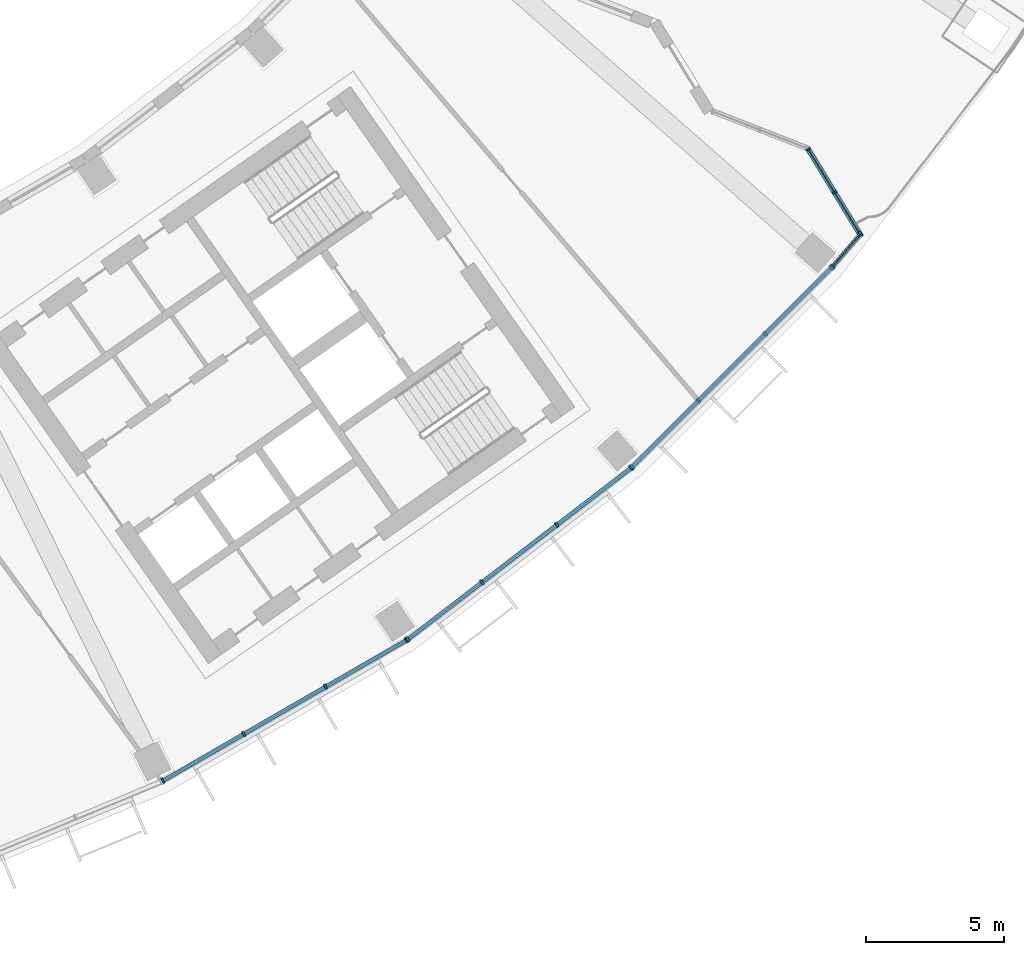
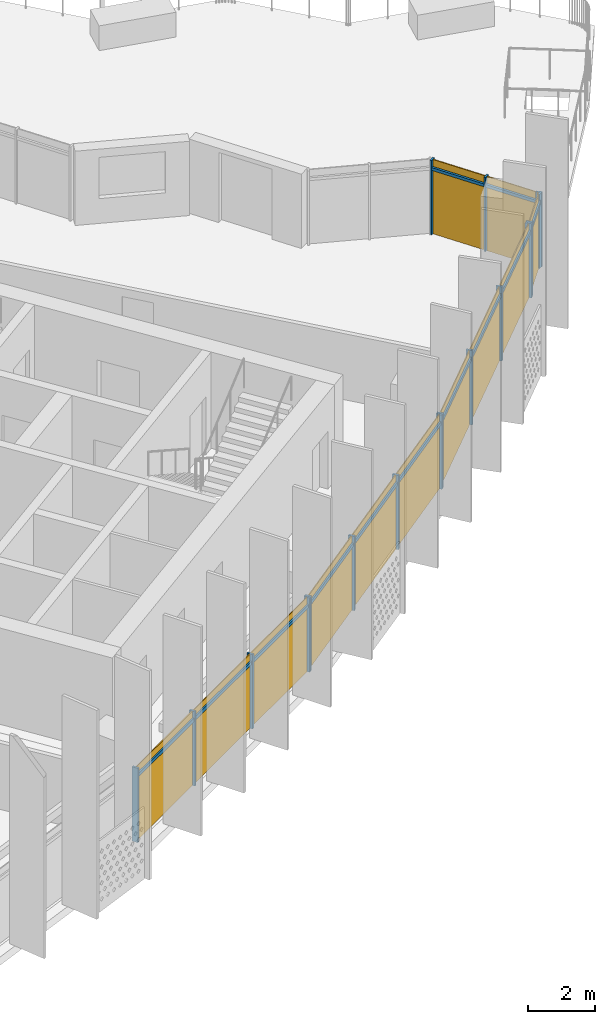
# One storey, part 20 of 30: 29 members, 5 curtain walls.
"""IFC4 building model written with IfcOpenShell, lengths in metres."""

from ifc_helpers import new_model, si_unit, direction, frame, origin, origin_2d, place, context, subcontext, project, spatial, rectangle, extrude, material, material_profile, profile_set, type_object, element, aggregate, save


model = new_model("IFC4")

# Units and contexts
model_context = context("Model", 3, precision=1e-05, world=origin(), true_north=direction((0.0, 1.0)))
body_context = subcontext(model_context, "Body", "Model", "MODEL_VIEW")
ifc_project = project(units=[si_unit("LENGTHUNIT", "METRE"), si_unit("AREAUNIT", "SQUARE_METRE"), si_unit("VOLUMEUNIT", "CUBIC_METRE"), si_unit("PLANEANGLEUNIT", "RADIAN"), si_unit("MASSUNIT", "GRAM", prefix="KILO")], contexts=[model_context])

# Member
ifc_material = material(Name="Aluminium 6063-T6 anodised", Category="aluminium")
ifc_material_profile_1 = material_profile(ifc_material, rectangle(XDim=0.179931640625, YDim=0.06005859375, at=origin_2d()))
ifc_profile_set_1 = profile_set([ifc_material_profile_1], Name="Aluminium 6063-T6 anodised")
member_type_1 = type_object("IfcMemberType", Name="Mullion 60 x 180 aluminium, garden", PredefinedType="MULLION", material=ifc_profile_set_1)
site_placement = place(None, origin())
building_placement = place(site_placement, origin())
storey_placement = place(building_placement, frame((0.0, 0.0, 203.699951171875)))
member_1_placement = place(storey_placement, frame((60.104248046875, -50.63427734375, 0.0), z_axis=(0.0, 0.0, 1.0), x_axis=(-0.854269604019, -0.519830206557, 0.0)))
member_1 = element("IfcMember", 1, at=member_1_placement, type_object=member_type_1, Name="e-cw4-L48-capE0/M00", PredefinedType="MULLION", context=body_context, shape_type="SweptSolid", body=[
    extrude(rectangle(XDim=0.179931640625, YDim=0.06005859375, at=origin_2d()), origin(), (0.0, 0.0, 1.0), 2.699951171875),
])

member_2_placement = place(storey_placement, frame((59.15234375, -49.06982421875, 0.0), z_axis=(0.0, 0.0, 1.0), x_axis=(-0.854269604019, -0.519830206557, 0.0)))
member_2 = element("IfcMember", 2, at=member_2_placement, type_object=member_type_1, Name="e-cw4-L48-capE0/M01", PredefinedType="MULLION", context=body_context, shape_type="SweptSolid", body=[
    extrude(rectangle(XDim=0.179931640625, YDim=0.06005859375, at=origin_2d()), origin(), (0.0, 0.0, 1.0), 2.699951171875),
])

member_3_placement = place(storey_placement, frame((58.2001953125, -47.50537109375, 0.0), z_axis=(0.0, 0.0, 1.0), x_axis=(-0.854269604019, -0.519830206557, 0.0)))
member_3 = element("IfcMember", 3, at=member_3_placement, type_object=member_type_1, Name="e-cw4-L48-capE0/M02", PredefinedType="MULLION", context=body_context, shape_type="SweptSolid", body=[
    extrude(rectangle(XDim=0.179931640625, YDim=0.06005859375, at=origin_2d()), origin(), (0.0, 0.0, 1.0), 2.699951171875),
])

ifc_material_profile_2 = material_profile(ifc_material, rectangle(XDim=0.199951171875, YDim=0.070068359375, at=origin_2d()))
ifc_profile_set_2 = profile_set([ifc_material_profile_2], Name="Aluminium 6063-T6 anodised")
member_type_2 = type_object("IfcMemberType", Name="Mullion 70 x 200 aluminium", PredefinedType="MULLION", material=ifc_profile_set_2)
member_4_placement = place(storey_placement, frame((34.766357421875, -70.43505859375, 0.0), z_axis=(0.0, 0.0, 1.0), x_axis=(-0.5, 0.866025403784, 0.0)))
member_4 = element("IfcMember", 4, at=member_4_placement, type_object=member_type_2, Name="e-cw1-L48-out12/M00", PredefinedType="MULLION", context=body_context, shape_type="SweptSolid", body=[
    extrude(rectangle(XDim=0.199951171875, YDim=0.070068359375, at=origin_2d()), origin(), (0.0, 0.0, 1.0), 2.699951171875),
])

member_5_placement = place(storey_placement, frame((37.705810546875, -68.73779296875, 0.0), z_axis=(0.0, 0.0, 1.0), x_axis=(-0.5, 0.866025403784, 0.0)))
member_5 = element("IfcMember", 5, at=member_5_placement, type_object=member_type_2, Name="e-cw1-L48-out12/M01", PredefinedType="MULLION", context=body_context, shape_type="SweptSolid", body=[
    extrude(rectangle(XDim=0.199951171875, YDim=0.070068359375, at=origin_2d()), origin(), (0.0, 0.0, 1.0), 2.699951171875),
])

member_6_placement = place(storey_placement, frame((40.67578125, -67.023193359375, 0.0), z_axis=(0.0, 0.0, 1.0), x_axis=(-0.5, 0.866025403784, 0.0)))
member_6 = element("IfcMember", 6, at=member_6_placement, type_object=member_type_2, Name="e-cw1-L48-out12/M02", PredefinedType="MULLION", context=body_context, shape_type="SweptSolid", body=[
    extrude(rectangle(XDim=0.199951171875, YDim=0.070068359375, at=origin_2d()), origin(), (0.0, 0.0, 1.0), 2.699951171875),
])

member_7_placement = place(storey_placement, frame((43.615234375, -65.325927734375, 0.0), z_axis=(0.0, 0.0, 1.0), x_axis=(-0.5, 0.866025403784, 0.0)))
member_7 = element("IfcMember", 7, at=member_7_placement, type_object=member_type_2, Name="e-cw1-L48-out12/M03", PredefinedType="MULLION", context=body_context, shape_type="SweptSolid", body=[
    extrude(rectangle(XDim=0.199951171875, YDim=0.070068359375, at=origin_2d()), origin(), (0.0, 0.0, 1.0), 2.699951171875),
])

member_8_placement = place(storey_placement, frame((43.66259765625, -65.29443359375, 0.0), z_axis=(0.0, 0.0, 1.0), x_axis=(-0.608761429009, 0.793353340291, 0.0)))
member_8 = element("IfcMember", 8, at=member_8_placement, type_object=member_type_2, Name="e-cw1-L48-out13/M00", PredefinedType="MULLION", context=body_context, shape_type="SweptSolid", body=[
    extrude(rectangle(XDim=0.199951171875, YDim=0.070068359375, at=origin_2d()), origin(), (0.0, 0.0, 1.0), 2.699951171875),
])

member_9_placement = place(storey_placement, frame((46.35546875, -63.22802734375, 0.0), z_axis=(0.0, 0.0, 1.0), x_axis=(-0.608761429009, 0.793353340291, 0.0)))
member_9 = element("IfcMember", 9, at=member_9_placement, type_object=member_type_2, Name="e-cw1-L48-out13/M01", PredefinedType="MULLION", context=body_context, shape_type="SweptSolid", body=[
    extrude(rectangle(XDim=0.199951171875, YDim=0.070068359375, at=origin_2d()), origin(), (0.0, 0.0, 1.0), 2.699951171875),
])

member_10_placement = place(storey_placement, frame((49.075927734375, -61.140380859375, 0.0), z_axis=(0.0, 0.0, 1.0), x_axis=(-0.608761429009, 0.793353340291, 0.0)))
member_10 = element("IfcMember", 10, at=member_10_placement, type_object=member_type_2, Name="e-cw1-L48-out13/M02", PredefinedType="MULLION", context=body_context, shape_type="SweptSolid", body=[
    extrude(rectangle(XDim=0.199951171875, YDim=0.070068359375, at=origin_2d()), origin(), (0.0, 0.0, 1.0), 2.699951171875),
])

member_11_placement = place(storey_placement, frame((51.768798828125, -59.07421875, 0.0), z_axis=(0.0, 0.0, 1.0), x_axis=(-0.608761429009, 0.793353340291, 0.0)))
member_11 = element("IfcMember", 11, at=member_11_placement, type_object=member_type_2, Name="e-cw1-L48-out13/M03", PredefinedType="MULLION", context=body_context, shape_type="SweptSolid", body=[
    extrude(rectangle(XDim=0.199951171875, YDim=0.070068359375, at=origin_2d()), origin(), (0.0, 0.0, 1.0), 2.699951171875),
])

member_12_placement = place(storey_placement, frame((51.8115234375, -59.03662109375, 0.0), z_axis=(0.0, 0.0, 1.0), x_axis=(-0.707106781187, 0.707106781187, 0.0)))
member_12 = element("IfcMember", 12, at=member_12_placement, type_object=member_type_2, Name="e-cw1-L48-out14/M00", PredefinedType="MULLION", context=body_context, shape_type="SweptSolid", body=[
    extrude(rectangle(XDim=0.199951171875, YDim=0.070068359375, at=origin_2d()), origin(), (0.0, 0.0, 1.0), 2.699951171875),
])

member_13_placement = place(storey_placement, frame((54.211669921875, -56.63671875, 0.0), z_axis=(0.0, 0.0, 1.0), x_axis=(-0.707106781187, 0.707106781187, 0.0)))
member_13 = element("IfcMember", 13, at=member_13_placement, type_object=member_type_2, Name="e-cw1-L48-out14/M01", PredefinedType="MULLION", context=body_context, shape_type="SweptSolid", body=[
    extrude(rectangle(XDim=0.199951171875, YDim=0.070068359375, at=origin_2d()), origin(), (0.0, 0.0, 1.0), 2.699951171875),
])

member_14_placement = place(storey_placement, frame((56.63671875, -54.211669921875, 0.0), z_axis=(0.0, 0.0, 1.0), x_axis=(-0.707106781187, 0.707106781187, 0.0)))
member_14 = element("IfcMember", 14, at=member_14_placement, type_object=member_type_2, Name="e-cw1-L48-out14/M02", PredefinedType="MULLION", context=body_context, shape_type="SweptSolid", body=[
    extrude(rectangle(XDim=0.199951171875, YDim=0.070068359375, at=origin_2d()), origin(), (0.0, 0.0, 1.0), 2.699951171875),
])

member_15_placement = place(storey_placement, frame((59.03662109375, -51.8115234375, 0.0), z_axis=(0.0, 0.0, 1.0), x_axis=(-0.707106781187, 0.707106781187, 0.0)))
member_15 = element("IfcMember", 15, at=member_15_placement, type_object=member_type_2, Name="e-cw1-L48-out14/M03", PredefinedType="MULLION", context=body_context, shape_type="SweptSolid", body=[
    extrude(rectangle(XDim=0.199951171875, YDim=0.070068359375, at=origin_2d()), origin(), (0.0, 0.0, 1.0), 2.699951171875),
])

member_16_placement = place(storey_placement, frame((59.0791015625, -51.765869140625, 0.0), z_axis=(0.0, 0.0, 1.0), x_axis=(-0.758703110659, 0.651436558597, 0.0)))
member_16 = element("IfcMember", 16, at=member_16_placement, type_object=member_type_2, Name="e-cw1-L48-out15/M00", PredefinedType="MULLION", context=body_context, shape_type="SweptSolid", body=[
    extrude(rectangle(XDim=0.199951171875, YDim=0.070068359375, at=origin_2d()), origin(), (0.0, 0.0, 1.0), 2.699951171875),
])

member_17_placement = place(storey_placement, frame((60.106689453125, -50.5693359375, 0.0), z_axis=(0.0, 0.0, 1.0), x_axis=(-0.758703110659, 0.651436558597, 0.0)))
member_17 = element("IfcMember", 17, at=member_17_placement, type_object=member_type_2, Name="e-cw1-L48-out15/M01", PredefinedType="MULLION", context=body_context, shape_type="SweptSolid", body=[
    extrude(rectangle(XDim=0.199951171875, YDim=0.070068359375, at=origin_2d()), origin(), (0.0, 0.0, 1.0), 2.699951171875),
])

ifc_material_profile_3 = material_profile(ifc_material, rectangle(XDim=0.179931640625, YDim=0.10009765625, at=origin_2d()))
ifc_profile_set_3 = profile_set([ifc_material_profile_3], Name="Aluminium 6063-T6 anodised")
member_type_3 = type_object("IfcMemberType", Name="Transom 100 x 180 aluminium, garden", PredefinedType="USERDEFINED", material=ifc_profile_set_3)
member_18_placement = place(storey_placement, frame((60.088623046875, -50.608642578125, 2.400146484375), z_axis=(-0.519776401166, 0.854302342728, 0.0), x_axis=(-0.854302342728, -0.519776401166, 0.0)))
member_18 = element("IfcMember", 18, at=member_18_placement, type_object=member_type_3, Name="e-cw4-L48-capE0/T00", ObjectType="TRANSOM", PredefinedType="USERDEFINED", context=body_context, shape_type="SweptSolid", body=[
    extrude(rectangle(XDim=0.179931640625, YDim=0.10009765625, at=origin_2d()), origin(), (0.0, 0.0, 1.0), 1.771240234375),
])

member_19_placement = place(storey_placement, frame((59.13671875, -49.044189453125, 2.400146484375), z_axis=(-0.519876986937, 0.854241136011, 0.0), x_axis=(-0.854241136011, -0.519876986937, 0.0)))
member_19 = element("IfcMember", 19, at=member_19_placement, type_object=member_type_3, Name="e-cw4-L48-capE0/T01", ObjectType="TRANSOM", PredefinedType="USERDEFINED", context=body_context, shape_type="SweptSolid", body=[
    extrude(rectangle(XDim=0.179931640625, YDim=0.10009765625, at=origin_2d()), origin(), (0.0, 0.0, 1.0), 1.771484375),
])

ifc_material_profile_4 = material_profile(ifc_material, rectangle(XDim=0.139892578125, YDim=0.1201171875, at=origin_2d()))
ifc_profile_set_4 = profile_set([ifc_material_profile_4], Name="Aluminium 6063-T6 anodised")
member_type_4 = type_object("IfcMemberType", Name="Transom 120 x 140 aluminium", PredefinedType="USERDEFINED", material=ifc_profile_set_4)
member_20_placement = place(storey_placement, frame((34.796630859375, -70.41748046875, 2.400146484375), z_axis=(0.866029041019, 0.499993700073, 0.0), x_axis=(-0.499993700073, 0.866029041019, 0.0)))
member_20 = element("IfcMember", 20, at=member_20_placement, type_object=member_type_4, Name="e-cw1-L48-out12/T00", ObjectType="TRANSOM", PredefinedType="USERDEFINED", context=body_context, shape_type="SweptSolid", body=[
    extrude(rectangle(XDim=0.139892578125, YDim=0.1201171875, at=origin_2d()), origin(), (0.0, 0.0, 1.0), 3.32421875),
])

member_21_placement = place(storey_placement, frame((37.736083984375, -68.72021484375, 2.400146484375), z_axis=(0.866034314054, 0.499984566643, 0.0), x_axis=(-0.499984566643, 0.866034314054, 0.0)))
member_21 = element("IfcMember", 21, at=member_21_placement, type_object=member_type_4, Name="e-cw1-L48-out12/T01", ObjectType="TRANSOM", PredefinedType="USERDEFINED", context=body_context, shape_type="SweptSolid", body=[
    extrude(rectangle(XDim=0.139892578125, YDim=0.1201171875, at=origin_2d()), origin(), (0.0, 0.0, 1.0), 3.359375),
])

member_22_placement = place(storey_placement, frame((40.7060546875, -67.005615234375, 2.400146484375), z_axis=(0.866029041019, 0.499993700073, 0.0), x_axis=(-0.499993700073, 0.866029041019, 0.0)))
member_22 = element("IfcMember", 22, at=member_22_placement, type_object=member_type_4, Name="e-cw1-L48-out12/T02", ObjectType="TRANSOM", PredefinedType="USERDEFINED", context=body_context, shape_type="SweptSolid", body=[
    extrude(rectangle(XDim=0.139892578125, YDim=0.1201171875, at=origin_2d()), origin(), (0.0, 0.0, 1.0), 3.32421875),
])

member_23_placement = place(storey_placement, frame((43.690185546875, -65.273193359375, 2.400146484375), z_axis=(0.793368713958, 0.608741393132, 0.0), x_axis=(-0.608741393132, 0.793368713958, 0.0)))
member_23 = element("IfcMember", 23, at=member_23_placement, type_object=member_type_4, Name="e-cw1-L48-out13/T00", ObjectType="TRANSOM", PredefinedType="USERDEFINED", context=body_context, shape_type="SweptSolid", body=[
    extrude(rectangle(XDim=0.139892578125, YDim=0.1201171875, at=origin_2d()), origin(), (0.0, 0.0, 1.0), 3.324462890625),
])

member_24_placement = place(storey_placement, frame((46.383056640625, -63.206787109375, 2.400146484375), z_axis=(0.793385234627, 0.608719861247, 0.0), x_axis=(-0.608719861247, 0.793385234627, 0.0)))
member_24 = element("IfcMember", 24, at=member_24_placement, type_object=member_type_4, Name="e-cw1-L48-out13/T01", ObjectType="TRANSOM", PredefinedType="USERDEFINED", context=body_context, shape_type="SweptSolid", body=[
    extrude(rectangle(XDim=0.139892578125, YDim=0.1201171875, at=origin_2d()), origin(), (0.0, 0.0, 1.0), 3.359375),
])

member_25_placement = place(storey_placement, frame((49.103759765625, -61.119140625, 2.400146484375), z_axis=(0.793368713958, 0.608741393132, 0.0), x_axis=(-0.608741393132, 0.793368713958, 0.0)))
member_25 = element("IfcMember", 25, at=member_25_placement, type_object=member_type_4, Name="e-cw1-L48-out13/T02", ObjectType="TRANSOM", PredefinedType="USERDEFINED", context=body_context, shape_type="SweptSolid", body=[
    extrude(rectangle(XDim=0.139892578125, YDim=0.1201171875, at=origin_2d()), origin(), (0.0, 0.0, 1.0), 3.324462890625),
])

member_26_placement = place(storey_placement, frame((51.83642578125, -59.011962890625, 2.400146484375), z_axis=(0.707106781187, 0.707106781187, 0.0), x_axis=(-0.707106781187, 0.707106781187, 0.0)))
member_26 = element("IfcMember", 26, at=member_26_placement, type_object=member_type_4, Name="e-cw1-L48-out14/T00", ObjectType="TRANSOM", PredefinedType="USERDEFINED", context=body_context, shape_type="SweptSolid", body=[
    extrude(rectangle(XDim=0.139892578125, YDim=0.1201171875, at=origin_2d()), origin(), (0.0, 0.0, 1.0), 3.32421875),
])

member_27_placement = place(storey_placement, frame((54.236572265625, -56.61181640625, 2.400146484375), z_axis=(0.707106781187, 0.707106781187, 0.0), x_axis=(-0.707106781187, 0.707106781187, 0.0)))
member_27 = element("IfcMember", 27, at=member_27_placement, type_object=member_type_4, Name="e-cw1-L48-out14/T01", ObjectType="TRANSOM", PredefinedType="USERDEFINED", context=body_context, shape_type="SweptSolid", body=[
    extrude(rectangle(XDim=0.139892578125, YDim=0.1201171875, at=origin_2d()), origin(), (0.0, 0.0, 1.0), 3.359130859375),
])

member_28_placement = place(storey_placement, frame((56.661376953125, -54.18701171875, 2.400146484375), z_axis=(0.707106781187, 0.707106781187, 0.0), x_axis=(-0.707106781187, 0.707106781187, 0.0)))
member_28 = element("IfcMember", 28, at=member_28_placement, type_object=member_type_4, Name="e-cw1-L48-out14/T02", ObjectType="TRANSOM", PredefinedType="USERDEFINED", context=body_context, shape_type="SweptSolid", body=[
    extrude(rectangle(XDim=0.139892578125, YDim=0.1201171875, at=origin_2d()), origin(), (0.0, 0.0, 1.0), 3.32421875),
])

member_29_placement = place(storey_placement, frame((59.10205078125, -51.7392578125, 2.400146484375), z_axis=(0.651364825564, 0.758764696081, 0.0), x_axis=(-0.758764696081, 0.651364825564, 0.0)))
member_29 = element("IfcMember", 29, at=member_29_placement, type_object=member_type_4, Name="e-cw1-L48-out15/T00", ObjectType="TRANSOM", PredefinedType="USERDEFINED", context=body_context, shape_type="SweptSolid", body=[
    extrude(rectangle(XDim=0.139892578125, YDim=0.1201171875, at=origin_2d()), origin(), (0.0, 0.0, 1.0), 1.507080078125),
])

# Site, building, storey
site = spatial("IfcSite", under=ifc_project, at=site_placement, CompositionType="ELEMENT")
building = spatial("IfcBuilding", under=site, at=building_placement, Name="Qamariyya Broadcast Tower", CompositionType="ELEMENT")
storey = spatial("IfcBuildingStorey", under=building, at=storey_placement, Name="L48", CompositionType="ELEMENT", Elevation=203.699951171875)

# Curtain wall
curtain_wall_type_1 = type_object("IfcCurtainWallType", Name="Sky garden enclosure curtain wall", PredefinedType="NOTDEFINED", material=ifc_material)
curtain_wall_1_placement = place(storey_placement, origin())
curtain_wall_1 = element("IfcCurtainWall", 30, at=curtain_wall_1_placement, inside=storey, type_object=curtain_wall_type_1, Name="e-cw4-L48-capE0", PredefinedType="NOTDEFINED", context=body_context, shape_type="SweptSolid", body=[
    extrude(rectangle(XDim=1.771240234375, YDim=0.031982421875, at=origin_2d()), frame((59.62841796875, -49.851806640625, 0.0), x_axis=(-0.519838747585, 0.854264406674, 0.0)), (0.0, 0.0, 1.0), 2.35009765625),
    extrude(rectangle(XDim=1.771240234375, YDim=0.031982421875, at=origin_2d()), frame((59.62841796875, -49.851806640625, 2.449951171875), x_axis=(-0.519838747585, 0.854264406674, 0.0)), (0.0, 0.0, 1.0), 0.25),
    extrude(rectangle(XDim=1.771240234375, YDim=0.031982421875, at=origin_2d()), frame((58.67626953125, -48.28759765625, 0.0), x_axis=(-0.519838747585, 0.854264406674, 0.0)), (0.0, 0.0, 1.0), 2.35009765625),
    extrude(rectangle(XDim=1.771240234375, YDim=0.031982421875, at=origin_2d()), frame((58.67626953125, -48.28759765625, 2.449951171875), x_axis=(-0.519838747585, 0.854264406674, 0.0)), (0.0, 0.0, 1.0), 0.25),
])

aggregate(curtain_wall_1, [member_1, member_2, member_3, member_18, member_19])

curtain_wall_type_2 = type_object("IfcCurtainWallType", Name="Unitised curtain wall, anodised aluminium", PredefinedType="NOTDEFINED", material=ifc_material)
curtain_wall_2_placement = place(storey_placement, origin())
curtain_wall_2 = element("IfcCurtainWall", 31, at=curtain_wall_2_placement, inside=storey, type_object=curtain_wall_type_2, Name="e-cw1-L48-out12", PredefinedType="NOTDEFINED", context=body_context, shape_type="SweptSolid", body=[
    extrude(rectangle(XDim=3.32421875, YDim=0.031982421875, at=origin_2d()), frame((36.236083984375, -69.58642578125, 0.0), x_axis=(0.866027904674, 0.499995668308, 0.0)), (0.0, 0.0, 1.0), 2.340087890625),
    extrude(rectangle(XDim=3.32421875, YDim=0.031982421875, at=origin_2d()), frame((36.236083984375, -69.58642578125, 2.4599609375), x_axis=(0.866027904674, 0.499995668308, 0.0)), (0.0, 0.0, 1.0), 0.239990234375),
    extrude(rectangle(XDim=3.359130859375, YDim=0.031982421875, at=origin_2d()), frame((39.19091796875, -67.88037109375, 0.0), x_axis=(0.866027904674, 0.499995668308, 0.0)), (0.0, 0.0, 1.0), 2.340087890625),
    extrude(rectangle(XDim=3.359130859375, YDim=0.031982421875, at=origin_2d()), frame((39.19091796875, -67.88037109375, 2.4599609375), x_axis=(0.866027904674, 0.499995668308, 0.0)), (0.0, 0.0, 1.0), 0.239990234375),
    extrude(rectangle(XDim=3.32421875, YDim=0.031982421875, at=origin_2d()), frame((42.1455078125, -66.174560546875, 0.0), x_axis=(0.866027904674, 0.499995668308, 0.0)), (0.0, 0.0, 1.0), 2.340087890625),
    extrude(rectangle(XDim=3.32421875, YDim=0.031982421875, at=origin_2d()), frame((42.1455078125, -66.174560546875, 2.4599609375), x_axis=(0.866027904674, 0.499995668308, 0.0)), (0.0, 0.0, 1.0), 0.239990234375),
])

aggregate(curtain_wall_2, [member_4, member_5, member_6, member_7, member_20, member_21, member_22])

curtain_wall_3_placement = place(storey_placement, origin())
curtain_wall_3 = element("IfcCurtainWall", 32, at=curtain_wall_3_placement, inside=storey, type_object=curtain_wall_type_2, Name="e-cw1-L48-out13", PredefinedType="NOTDEFINED", context=body_context, shape_type="SweptSolid", body=[
    extrude(rectangle(XDim=3.32421875, YDim=0.031982421875, at=origin_2d()), frame((45.009033203125, -64.26123046875, 0.0), x_axis=(0.793359168734, 0.608753833159, 0.0)), (0.0, 0.0, 1.0), 2.340087890625),
    extrude(rectangle(XDim=3.32421875, YDim=0.031982421875, at=origin_2d()), frame((45.009033203125, -64.26123046875, 2.4599609375), x_axis=(0.793359168734, 0.608753833159, 0.0)), (0.0, 0.0, 1.0), 0.239990234375),
    extrude(rectangle(XDim=3.359130859375, YDim=0.031982421875, at=origin_2d()), frame((47.7158203125, -62.184326171875, 0.0), x_axis=(0.793359168734, 0.608753833159, 0.0)), (0.0, 0.0, 1.0), 2.340087890625),
    extrude(rectangle(XDim=3.359130859375, YDim=0.031982421875, at=origin_2d()), frame((47.7158203125, -62.184326171875, 2.4599609375), x_axis=(0.793359168734, 0.608753833159, 0.0)), (0.0, 0.0, 1.0), 0.239990234375),
    extrude(rectangle(XDim=3.32421875, YDim=0.031982421875, at=origin_2d()), frame((50.42236328125, -60.107421875, 0.0), x_axis=(0.793359168734, 0.608753833159, 0.0)), (0.0, 0.0, 1.0), 2.340087890625),
    extrude(rectangle(XDim=3.32421875, YDim=0.031982421875, at=origin_2d()), frame((50.42236328125, -60.107421875, 2.4599609375), x_axis=(0.793359168734, 0.608753833159, 0.0)), (0.0, 0.0, 1.0), 0.239990234375),
])

aggregate(curtain_wall_3, [member_8, member_9, member_10, member_11, member_23, member_24, member_25])

curtain_wall_4_placement = place(storey_placement, origin())
curtain_wall_4 = element("IfcCurtainWall", 33, at=curtain_wall_4_placement, inside=storey, type_object=curtain_wall_type_2, Name="e-cw1-L48-out14", PredefinedType="NOTDEFINED", context=body_context, shape_type="SweptSolid", body=[
    extrude(rectangle(XDim=3.32421875, YDim=0.031982421875, at=origin_2d()), frame((53.01171875, -57.836669921875, 0.0), x_axis=(0.707106781187, 0.707106781187, 0.0)), (0.0, 0.0, 1.0), 2.340087890625),
    extrude(rectangle(XDim=3.32421875, YDim=0.031982421875, at=origin_2d()), frame((53.01171875, -57.836669921875, 2.4599609375), x_axis=(0.707106781187, 0.707106781187, 0.0)), (0.0, 0.0, 1.0), 0.239990234375),
    extrude(rectangle(XDim=3.359375, YDim=0.031982421875, at=origin_2d()), frame((55.42431640625, -55.42431640625, 0.0), x_axis=(0.707106781187, 0.707106781187, 0.0)), (0.0, 0.0, 1.0), 2.340087890625),
    extrude(rectangle(XDim=3.359375, YDim=0.031982421875, at=origin_2d()), frame((55.42431640625, -55.42431640625, 2.4599609375), x_axis=(0.707106781187, 0.707106781187, 0.0)), (0.0, 0.0, 1.0), 0.239990234375),
    extrude(rectangle(XDim=3.32421875, YDim=0.031982421875, at=origin_2d()), frame((57.836669921875, -53.01171875, 0.0), x_axis=(0.707106781187, 0.707106781187, 0.0)), (0.0, 0.0, 1.0), 2.340087890625),
    extrude(rectangle(XDim=3.32421875, YDim=0.031982421875, at=origin_2d()), frame((57.836669921875, -53.01171875, 2.4599609375), x_axis=(0.707106781187, 0.707106781187, 0.0)), (0.0, 0.0, 1.0), 0.239990234375),
])

aggregate(curtain_wall_4, [member_12, member_13, member_14, member_15, member_26, member_27, member_28])

curtain_wall_5_placement = place(storey_placement, origin())
curtain_wall_5 = element("IfcCurtainWall", 34, at=curtain_wall_5_placement, inside=storey, type_object=curtain_wall_type_2, Name="e-cw1-L48-out15", PredefinedType="NOTDEFINED", context=body_context, shape_type="SweptSolid", body=[
    extrude(rectangle(XDim=1.507080078125, YDim=0.031982421875, at=origin_2d()), frame((59.5927734375, -51.16748046875, 0.0), x_axis=(0.651413666069, 0.758722766008, 0.0)), (0.0, 0.0, 1.0), 2.340087890625),
    extrude(rectangle(XDim=1.507080078125, YDim=0.031982421875, at=origin_2d()), frame((59.5927734375, -51.16748046875, 2.4599609375), x_axis=(0.651413666069, 0.758722766008, 0.0)), (0.0, 0.0, 1.0), 0.239990234375),
])

aggregate(curtain_wall_5, [member_16, member_17, member_29])

save(model, "model.ifc")
